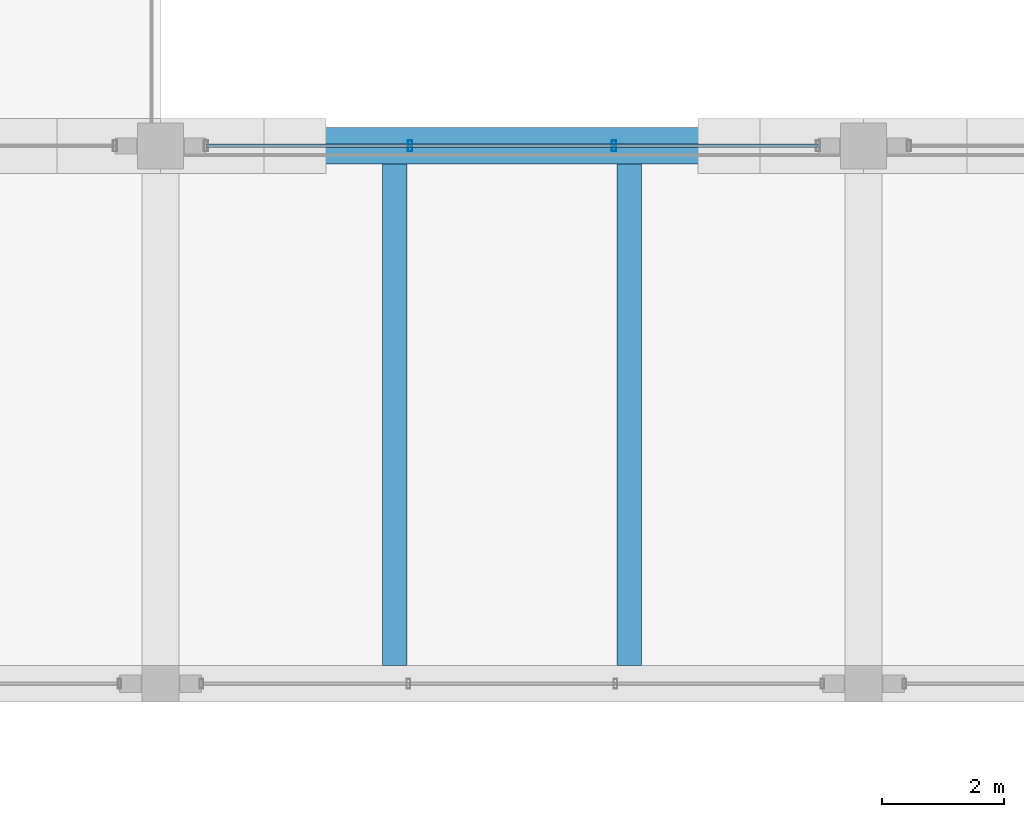
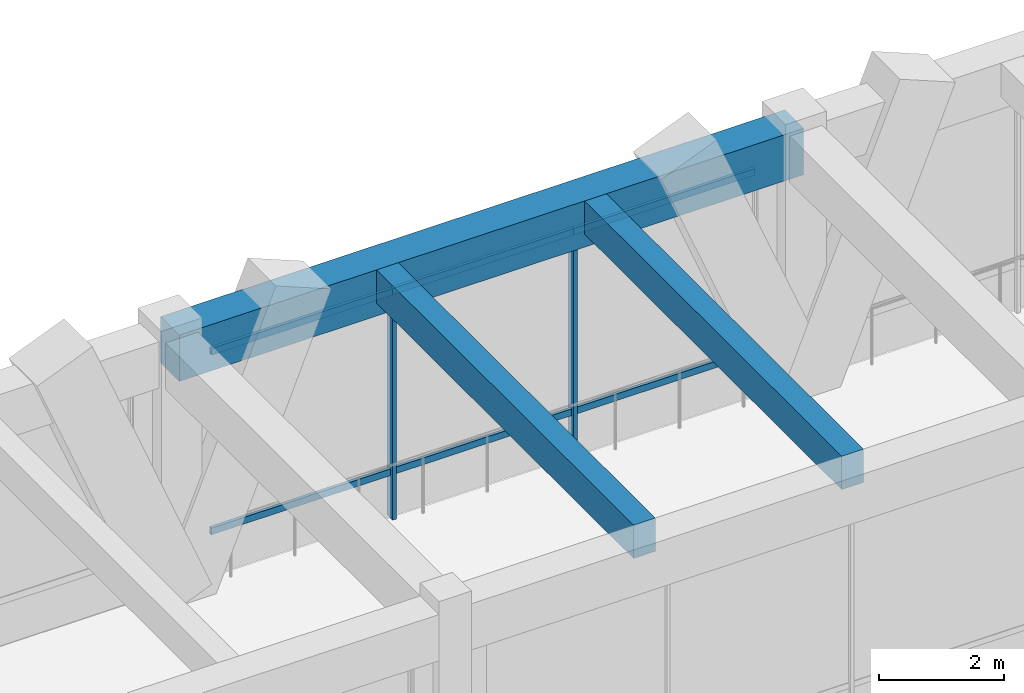
# One storey, part 91 of 148: 8 members, 3 beams, 1 element without a shape of its own.
"""IFC4 building model written with IfcOpenShell, lengths in metres."""

from ifc_helpers import new_model, si_unit, direction, frame, origin, origin_2d, place, context, subcontext, project, spatial, rectangle, hollow_rectangle, extrude, material, material_profile, profile_set, type_object, element, aggregate, save


model = new_model("IFC4")

# Units and contexts
model_context = context("Model", 3, precision=1e-05, world=origin(), true_north=direction((0.0, 1.0)))
body_context = subcontext(model_context, "Body", "Model", "MODEL_VIEW")
ifc_project = project(units=[si_unit("LENGTHUNIT", "METRE"), si_unit("AREAUNIT", "SQUARE_METRE"), si_unit("VOLUMEUNIT", "CUBIC_METRE"), si_unit("PLANEANGLEUNIT", "RADIAN"), si_unit("MASSUNIT", "GRAM", prefix="KILO")], contexts=[model_context])

# Site, building, storey
site_placement = place(None, origin())
site = spatial("IfcSite", under=ifc_project, at=site_placement, CompositionType="ELEMENT")
building_placement = place(site_placement, origin())
building = spatial("IfcBuilding", under=site, at=building_placement, Name="Ologun Quay Terminus", CompositionType="ELEMENT")
storey_placement = place(building_placement, frame((0.0, 0.0, 8.39990234375)))
storey = spatial("IfcBuildingStorey", under=building, at=storey_placement, Name="L02", CompositionType="ELEMENT", Elevation=8.39990234375)

# Curtain wall, members
ifc_material_1 = material(Name="Aluminium 6063-T6", Category="aluminium")
curtain_wall_type = type_object("IfcCurtainWallType", Name="Train Shed South Clerestory Curtain Wall 10700x5050", PredefinedType="USERDEFINED", material=ifc_material_1)
curtain_wall_placement = place(storey_placement, origin())
curtain_wall = element("IfcCurtainWall", 1, at=curtain_wall_placement, inside=storey, type_object=curtain_wall_type, Name="CW-08 Curtain Wall CW-L02-070", ObjectType="UNITISED CURTAIN WALL", PredefinedType="USERDEFINED")
ifc_material_2 = material(Name="Aluminium 6063-T6", Category="aluminium")
ifc_material_profile_1 = material_profile(ifc_material_2, hollow_rectangle(XDim=0.070068359375, YDim=0.179931640625, WallThickness=0.0048828125, at=origin_2d()), Name="ALU 180x70x5")
ifc_profile_set_1 = profile_set([ifc_material_profile_1], Name="Aluminium 6063-T6")
member_type_1 = type_object("IfcMemberType", Name="Concourse Clerestory Mullion 180x70", PredefinedType="MULLION", material=ifc_profile_set_1)
member_1_placement = place(storey_placement, frame((153.581787109375, 36.0, 0.0), z_axis=(0.0, 0.0, 1.0), x_axis=(1.0, 0.0, 0.0)))
member_1 = element("IfcMember", 2, at=member_1_placement, type_object=member_type_1, Name="CW-L02-070 Mullion 2", PredefinedType="MULLION", context=body_context, shape_type="SweptSolid", body=[
    extrude(hollow_rectangle(XDim=0.070068359375, YDim=0.179931640625, WallThickness=0.0048828125, at=origin_2d()), origin(), (0.0, 0.0, 1.0), 5.10009765625),
])
member_2_placement = place(storey_placement, frame((156.918212890625, 36.0, 0.0), z_axis=(0.0, 0.0, 1.0), x_axis=(1.0, 0.0, 0.0)))
member_2 = element("IfcMember", 3, at=member_2_placement, type_object=member_type_1, Name="CW-L02-070 Mullion 3", PredefinedType="MULLION", context=body_context, shape_type="SweptSolid", body=[
    extrude(hollow_rectangle(XDim=0.070068359375, YDim=0.179931640625, WallThickness=0.0048828125, at=origin_2d()), origin(), (0.0, 0.0, 1.0), 5.10009765625),
])
ifc_material_3 = material(Name="Aluminium 6063-T6", Category="aluminium")
ifc_material_profile_2 = material_profile(ifc_material_3, hollow_rectangle(XDim=0.06005859375, YDim=0.1298828125, WallThickness=0.00390625, at=origin_2d()), Name="ALU 130x60x4")
ifc_profile_set_2 = profile_set([ifc_material_profile_2], Name="Aluminium 6063-T6")
member_type_2 = type_object("IfcMemberType", Name="Concourse Clerestory Transom 130x60", PredefinedType="USERDEFINED", material=ifc_profile_set_2)
member_3_placement = place(storey_placement, frame((150.2451171875, 36.0, 0.900146484375), z_axis=(1.0, 0.0, 0.0), x_axis=(0.0, 1.0, 0.0)))
member_3 = element("IfcMember", 4, at=member_3_placement, type_object=member_type_2, Name="CW-L02-070 Transom B1-1", ObjectType="TRANSOM", PredefinedType="USERDEFINED", context=body_context, shape_type="SweptSolid", body=[
    extrude(hollow_rectangle(XDim=0.06005859375, YDim=0.1298828125, WallThickness=0.00390625, at=origin_2d()), origin(), (0.0, 0.0, 1.0), 3.336669921875),
])
member_4_placement = place(storey_placement, frame((150.2451171875, 36.0, 4.400146484375), z_axis=(1.0, 0.0, 0.0), x_axis=(0.0, 1.0, 0.0)))
member_4 = element("IfcMember", 5, at=member_4_placement, type_object=member_type_2, Name="CW-L02-070 Transom B1-2", ObjectType="TRANSOM", PredefinedType="USERDEFINED", context=body_context, shape_type="SweptSolid", body=[
    extrude(hollow_rectangle(XDim=0.06005859375, YDim=0.1298828125, WallThickness=0.00390625, at=origin_2d()), origin(), (0.0, 0.0, 1.0), 3.336669921875),
])
member_5_placement = place(storey_placement, frame((153.581787109375, 36.0, 0.900146484375), z_axis=(1.0, 0.0, 0.0), x_axis=(0.0, 1.0, 0.0)))
member_5 = element("IfcMember", 6, at=member_5_placement, type_object=member_type_2, Name="CW-L02-070 Transom B2-1", ObjectType="TRANSOM", PredefinedType="USERDEFINED", context=body_context, shape_type="SweptSolid", body=[
    extrude(hollow_rectangle(XDim=0.06005859375, YDim=0.1298828125, WallThickness=0.00390625, at=origin_2d()), origin(), (0.0, 0.0, 1.0), 3.33642578125),
])
member_6_placement = place(storey_placement, frame((153.581787109375, 36.0, 4.400146484375), z_axis=(1.0, 0.0, 0.0), x_axis=(0.0, 1.0, 0.0)))
member_6 = element("IfcMember", 7, at=member_6_placement, type_object=member_type_2, Name="CW-L02-070 Transom B2-2", ObjectType="TRANSOM", PredefinedType="USERDEFINED", context=body_context, shape_type="SweptSolid", body=[
    extrude(hollow_rectangle(XDim=0.06005859375, YDim=0.1298828125, WallThickness=0.00390625, at=origin_2d()), origin(), (0.0, 0.0, 1.0), 3.33642578125),
])
member_7_placement = place(storey_placement, frame((156.918212890625, 36.0, 0.900146484375), z_axis=(1.0, 0.0, 0.0), x_axis=(0.0, 1.0, 0.0)))
member_7 = element("IfcMember", 8, at=member_7_placement, type_object=member_type_2, Name="CW-L02-070 Transom B3-1", ObjectType="TRANSOM", PredefinedType="USERDEFINED", context=body_context, shape_type="SweptSolid", body=[
    extrude(hollow_rectangle(XDim=0.06005859375, YDim=0.1298828125, WallThickness=0.00390625, at=origin_2d()), origin(), (0.0, 0.0, 1.0), 3.336669921875),
])
member_8_placement = place(storey_placement, frame((156.918212890625, 36.0, 4.400146484375), z_axis=(1.0, 0.0, 0.0), x_axis=(0.0, 1.0, 0.0)))
member_8 = element("IfcMember", 9, at=member_8_placement, type_object=member_type_2, Name="CW-L02-070 Transom B3-2", ObjectType="TRANSOM", PredefinedType="USERDEFINED", context=body_context, shape_type="SweptSolid", body=[
    extrude(hollow_rectangle(XDim=0.06005859375, YDim=0.1298828125, WallThickness=0.00390625, at=origin_2d()), origin(), (0.0, 0.0, 1.0), 3.336669921875),
])
aggregate(curtain_wall, [member_1, member_2, member_3, member_4, member_5, member_6, member_7, member_8])

# Beams
ifc_material_4 = material(Name="Concrete C40/50", Category="concrete")
ifc_material_profile_3 = material_profile(ifc_material_4, rectangle(XDim=0.60009765625, YDim=0.89990234375, at=origin_2d()), Name="RC 600x900")
ifc_profile_set_3 = profile_set([ifc_material_profile_3], Name="Concrete C40/50")
beam_type_1 = type_object("IfcBeamType", Name="Station Frame Girder 600x900", PredefinedType="BEAM", material=ifc_profile_set_3)
beam_placement = place(storey_placement, frame((149.5, 36.0, 4.7001953125), z_axis=(1.0, 0.0, 0.0), x_axis=(0.0, 1.0, 0.0)))
element("IfcBeam", 10, at=beam_placement, inside=storey, type_object=beam_type_1, Name="B3 Beam 14/E L02", PredefinedType="BEAM", context=body_context, shape_type="SweptSolid", body=[
    extrude(rectangle(XDim=0.60009765625, YDim=0.89990234375, at=origin_2d()), origin(), (0.0, 0.0, 1.0), 11.5),
])
ifc_material_5 = material(Name="Concrete C40/50", Category="concrete")
ifc_material_profile_4 = material_profile(ifc_material_5, rectangle(XDim=0.39990234375, YDim=0.64990234375, at=origin_2d()), Name="RC 400x650")
ifc_profile_set_4 = profile_set([ifc_material_profile_4], Name="Concrete C40/50")
beam_type_2 = type_object("IfcBeamType", Name="Station Secondary Joist 400x650", PredefinedType="JOIST", material=ifc_profile_set_4)
for number, where, z_axis, x_axis, name in (
    (11, (153.333251953125, 27.5, 4.8251953125), (0.0, 1.0, 0.0), (-1.0, 0.0, 0.0), "J1 Beam 14/D L02"),
    (12, (157.166748046875, 27.5, 4.8251953125), (0.0, 1.0, 0.0), (-1.0, 0.0, 0.0), "J1 Beam 14/D L02"),
):
    element("IfcBeam", number, at=place(storey_placement, frame(where, z_axis=z_axis, x_axis=x_axis)), inside=storey, type_object=beam_type_2, Name=name, PredefinedType="JOIST", context=body_context, shape_type="SweptSolid", body=[
        extrude(rectangle(XDim=0.39990234375, YDim=0.64990234375, at=origin_2d()), origin(), (0.0, 0.0, 1.0), 8.199951171875),
    ])

save(model, "model.ifc")
